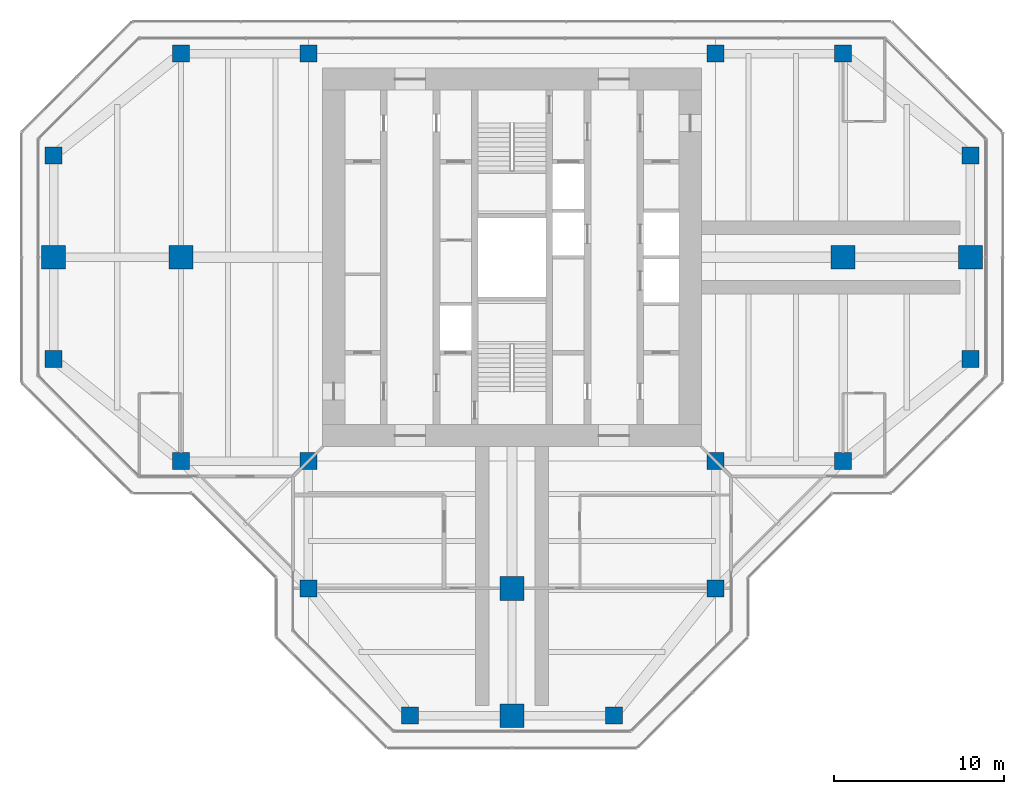
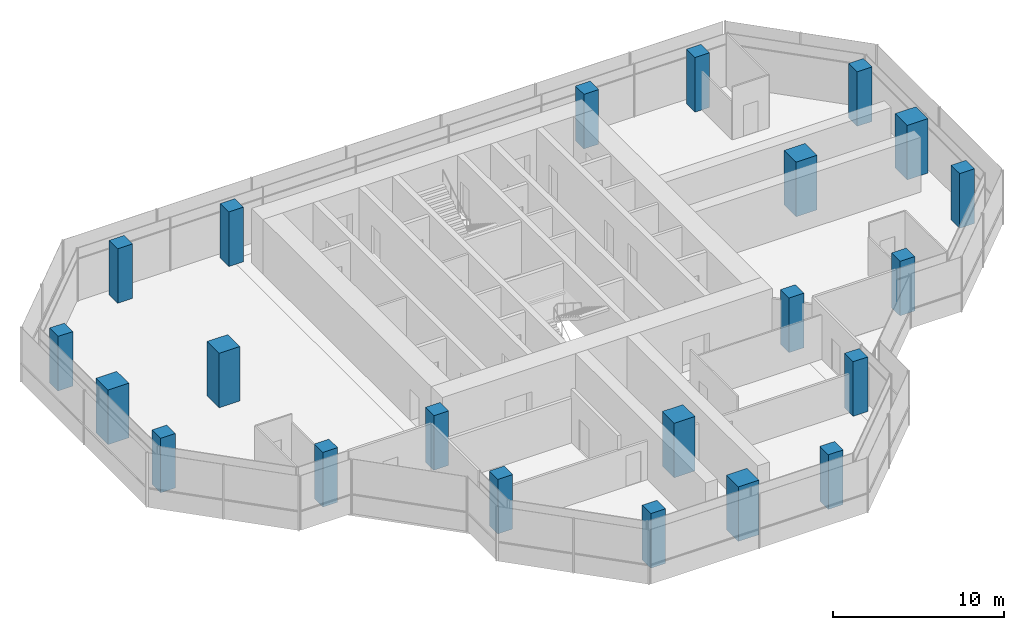
# One storey, part 1 of 15: 22 columns.
"""IFC4 building model written with IfcOpenShell, lengths in metres."""

from ifc_helpers import new_model, si_unit, direction, frame, origin, origin_2d, place, context, subcontext, project, spatial, rectangle, extrude, material, material_profile, profile_set, type_object, element, save


model = new_model("IFC4")

# Units and contexts
model_context = context("Model", 3, precision=1e-05, world=origin(), true_north=direction((0.0, 1.0)))
body_context = subcontext(model_context, "Body", "Model", "MODEL_VIEW")
ifc_project = project(units=[si_unit("LENGTHUNIT", "METRE"), si_unit("AREAUNIT", "SQUARE_METRE"), si_unit("VOLUMEUNIT", "CUBIC_METRE"), si_unit("PLANEANGLEUNIT", "RADIAN"), si_unit("MASSUNIT", "GRAM", prefix="KILO")], contexts=[model_context])

# Site, building, storey
site_placement = place(None, origin())
site = spatial("IfcSite", under=ifc_project, at=site_placement, CompositionType="ELEMENT")
building_placement = place(site_placement, origin())
building = spatial("IfcBuilding", under=site, at=building_placement, Name="Mizan Broadcast Tower", CompositionType="ELEMENT")
storey_placement = place(building_placement, frame((0.0, 0.0, 279.0)))
storey = spatial("IfcBuildingStorey", under=building, at=storey_placement, Name="L66", CompositionType="ELEMENT", Elevation=279.0)

# Columns
ifc_material_1 = material(Name="Concrete C70/85", Category="concrete")
ifc_material_profile_1 = material_profile(ifc_material_1, rectangle(XDim=1.0, YDim=1.0, at=origin_2d()), Name="RC 1000x1000")
ifc_profile_set_1 = profile_set([ifc_material_profile_1], Name="Concrete C70/85")
column_type_1 = type_object("IfcColumnType", Name="RC COLUMN 1000x1000 C70/85", PredefinedType="COLUMN", material=ifc_profile_set_1)
for number, where, z_axis, x_axis, name in (
    (1, (-6.0, -27.0, 0.0), (0.0, 0.0, 1.0), (1.0, 0.0, 0.0), "Column 5/B L66"),
    (2, (6.0, -27.0, 0.0), (0.0, 0.0, 1.0), (1.0, 0.0, 0.0), "Column 7/B L66"),
    (3, (-12.0, -19.5, 0.0), (0.0, 0.0, 1.0), (1.0, 0.0, 0.0), "Column 4/C L66"),
    (4, (12.0, -19.5, 0.0), (0.0, 0.0, 1.0), (1.0, 0.0, 0.0), "Column 8/C L66"),
    (5, (-19.5, -12.0, 0.0), (0.0, 0.0, 1.0), (1.0, 0.0, 0.0), "Column 3/D L66"),
    (6, (-12.0, -12.0, 0.0), (0.0, 0.0, 1.0), (1.0, 0.0, 0.0), "Column 4/D L66"),
    (7, (12.0, -12.0, 0.0), (0.0, 0.0, 1.0), (1.0, 0.0, 0.0), "Column 8/D L66"),
    (8, (19.5, -12.0, 0.0), (0.0, 0.0, 1.0), (1.0, 0.0, 0.0), "Column 9/D L66"),
    (9, (-27.0, -6.0, 0.0), (0.0, 0.0, 1.0), (1.0, 0.0, 0.0), "Column 2/E L66"),
    (10, (27.0, -6.0, 0.0), (0.0, 0.0, 1.0), (1.0, 0.0, 0.0), "Column 10/E L66"),
    (11, (-27.0, 6.0, 0.0), (0.0, 0.0, 1.0), (1.0, 0.0, 0.0), "Column 2/G L66"),
    (12, (27.0, 6.0, 0.0), (0.0, 0.0, 1.0), (1.0, 0.0, 0.0), "Column 10/G L66"),
    (13, (-19.5, 12.0, 0.0), (0.0, 0.0, 1.0), (1.0, 0.0, 0.0), "Column 3/H L66"),
    (14, (-12.0, 12.0, 0.0), (0.0, 0.0, 1.0), (1.0, 0.0, 0.0), "Column 4/H L66"),
    (15, (12.0, 12.0, 0.0), (0.0, 0.0, 1.0), (1.0, 0.0, 0.0), "Column 8/H L66"),
    (16, (19.5, 12.0, 0.0), (0.0, 0.0, 1.0), (1.0, 0.0, 0.0), "Column 9/H L66"),
):
    element("IfcColumn", number, at=place(storey_placement, frame(where, z_axis=z_axis, x_axis=x_axis)), inside=storey, type_object=column_type_1, Name=name, PredefinedType="COLUMN", context=body_context, shape_type="SweptSolid", body=[
        extrude(rectangle(XDim=1.0, YDim=1.0, at=origin_2d()), origin(), (0.0, 0.0, 1.0), 3.89990234375),
    ])
ifc_material_2 = material(Name="Concrete C70/85", Category="concrete")
ifc_material_profile_2 = material_profile(ifc_material_2, rectangle(XDim=1.39990234375, YDim=1.39990234375, at=origin_2d()), Name="RC 1400x1400")
ifc_profile_set_2 = profile_set([ifc_material_profile_2], Name="Concrete C70/85")
column_type_2 = type_object("IfcColumnType", Name="RC COLUMN 1400x1400 C70/85", PredefinedType="COLUMN", material=ifc_profile_set_2)
for number, where, z_axis, x_axis, name in (
    (17, (0.0, -27.0, 0.0), (0.0, 0.0, 1.0), (1.0, 0.0, 0.0), "Column 6/B L66"),
    (18, (0.0, -19.5, 0.0), (0.0, 0.0, 1.0), (1.0, 0.0, 0.0), "Column 6/C L66"),
    (19, (-27.0, 0.0, 0.0), (0.0, 0.0, 1.0), (1.0, 0.0, 0.0), "Column 2/F L66"),
    (20, (-19.5, 0.0, 0.0), (0.0, 0.0, 1.0), (1.0, 0.0, 0.0), "Column 3/F L66"),
    (21, (19.5, 0.0, 0.0), (0.0, 0.0, 1.0), (1.0, 0.0, 0.0), "Column 9/F L66"),
    (22, (27.0, 0.0, 0.0), (0.0, 0.0, 1.0), (1.0, 0.0, 0.0), "Column 10/F L66"),
):
    element("IfcColumn", number, at=place(storey_placement, frame(where, z_axis=z_axis, x_axis=x_axis)), inside=storey, type_object=column_type_2, Name=name, PredefinedType="COLUMN", context=body_context, shape_type="SweptSolid", body=[
        extrude(rectangle(XDim=1.39990234375, YDim=1.39990234375, at=origin_2d()), origin(), (0.0, 0.0, 1.0), 3.89990234375),
    ])

save(model, "model.ifc")
